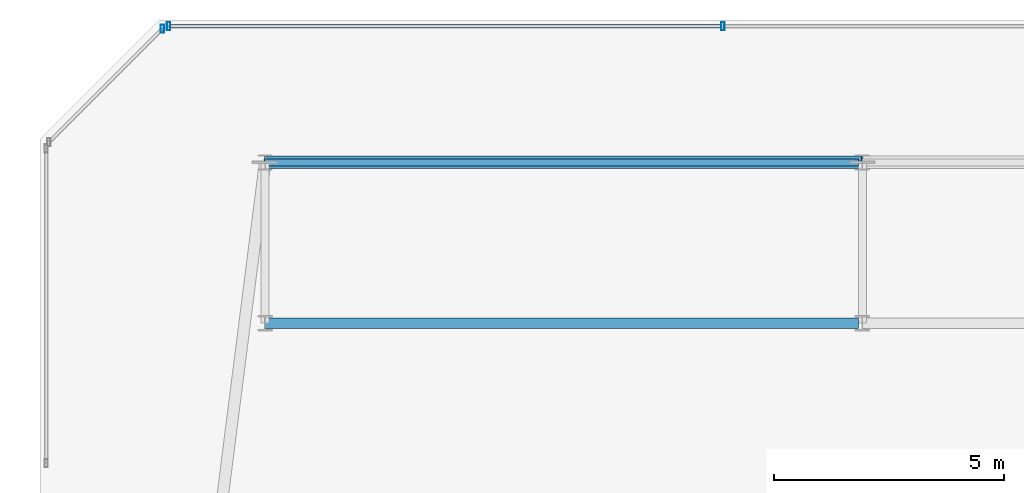
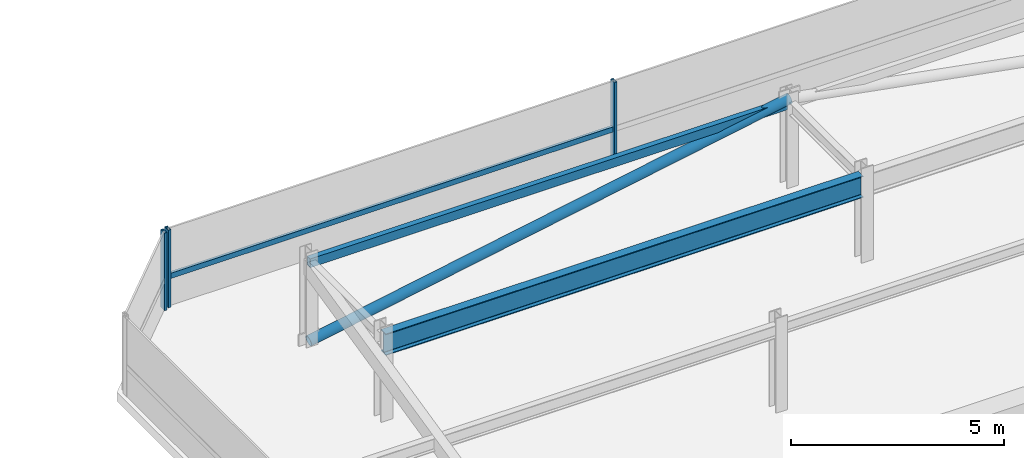
# One storey, part 33 of 42: 5 members, 2 beams, 2 elements without a shape of their own.
"""IFC4 building model written with IfcOpenShell, lengths in metres."""

from ifc_helpers import new_model, si_unit, direction, frame, origin, origin_2d, place, context, subcontext, project, spatial, hollow_rectangle, hollow_circle, i_section, extrude, material, material_profile, profile_set, type_object, element, aggregate, save


model = new_model("IFC4")

# Units and contexts
model_context = context("Model", 3, precision=1e-05, world=origin(), true_north=direction((0.0, 1.0)))
body_context = subcontext(model_context, "Body", "Model", "MODEL_VIEW")
ifc_project = project(units=[si_unit("LENGTHUNIT", "METRE"), si_unit("AREAUNIT", "SQUARE_METRE"), si_unit("VOLUMEUNIT", "CUBIC_METRE"), si_unit("PLANEANGLEUNIT", "RADIAN"), si_unit("MASSUNIT", "GRAM", prefix="KILO")], contexts=[model_context])

# Site, building, storey
site_placement = place(None, origin())
site = spatial("IfcSite", under=ifc_project, at=site_placement, CompositionType="ELEMENT")
building_placement = place(site_placement, origin())
building = spatial("IfcBuilding", under=site, at=building_placement, Name="Thornwick Lancets Civic Towers", CompositionType="ELEMENT")
storey_placement = place(building_placement, frame((0.0, 0.0, 289.5)))
storey = spatial("IfcBuildingStorey", under=building, at=storey_placement, Name="C04", CompositionType="ELEMENT", Elevation=289.5)

# Beams
ifc_material_1 = material(Name="Steel S355JR", Category="steel")
ifc_material_profile_1 = material_profile(ifc_material_1, hollow_rectangle(XDim=0.14990234375, YDim=0.25, WallThickness=0.012451171875, at=origin_2d()), Name="RHS 250x150x12.5")
ifc_profile_set_1 = profile_set([ifc_material_profile_1], Name="Steel S355JR")
beam_type_1 = type_object("IfcBeamType", Name="BM_CROWN_RHS250", PredefinedType="BEAM", material=ifc_profile_set_1)
beam_1_placement = place(storey_placement, frame((88.419921875, 47.800048828125, 2.31494140625), z_axis=(-1.0, 0.0, 0.0), x_axis=(0.0, -1.0, 0.0)))
element("IfcBeam", 1, at=beam_1_placement, inside=storey, type_object=beam_type_1, Name="BM-EDGE-C04-B-S1-2", PredefinedType="BEAM", context=body_context, shape_type="SweptSolid", body=[
    extrude(hollow_rectangle(XDim=0.14990234375, YDim=0.25, WallThickness=0.012451171875, at=origin_2d()), origin(), (0.0, 0.0, 1.0), 12.919921875),
])
ifc_material_profile_2 = material_profile(ifc_material_1, i_section(OverallWidth=0.230224609375, OverallDepth=0.6171875, WebThickness=0.01318359375, FlangeThickness=0.022216796875, FilletRadius=0.0126953125, at=origin_2d()), Name="UKB 610x229x140")
ifc_profile_set_2 = profile_set([ifc_material_profile_2], Name="Steel S355JR")
beam_type_2 = type_object("IfcBeamType", Name="BM_GIRD_610_140", PredefinedType="BEAM", material=ifc_profile_set_2)
beam_2_placement = place(storey_placement, frame((88.419921875, 44.300048828125, 2.13134765625), z_axis=(-1.0, 0.0, 0.0), x_axis=(0.0, -1.0, 0.0)))
element("IfcBeam", 2, at=beam_2_placement, inside=storey, type_object=beam_type_2, Name="BM-SPINE-C04-B-4-5", PredefinedType="BEAM", context=body_context, shape_type="SweptSolid", body=[
    extrude(i_section(OverallWidth=0.230224609375, OverallDepth=0.6171875, WebThickness=0.01318359375, FlangeThickness=0.022216796875, FilletRadius=0.0126953125, at=origin_2d()), origin(), (0.0, 0.0, 1.0), 12.919921875),
])

# Curtain wall, members
ifc_material_2 = material(Name="Crown ring acoustic-louvre and glazing screen wall", Category="glass")
curtain_wall_type = type_object("IfcCurtainWallType", Name="CW_SYS_07", PredefinedType="NOTDEFINED", material=ifc_material_2)
curtain_wall_1_placement = place(storey_placement, origin())
curtain_wall_1 = element("IfcCurtainWall", 3, at=curtain_wall_1_placement, inside=storey, type_object=curtain_wall_type, Name="C04 Curtain Wall CW-C04-B-E4", PredefinedType="NOTDEFINED")
ifc_material_3 = material(Name="Thermally broken bronze aluminium S355", Category="steel")
ifc_material_profile_3 = material_profile(ifc_material_3, hollow_rectangle(XDim=0.074951171875, YDim=0.179931640625, WallThickness=0.006103515625, at=origin_2d()), Name="RHS 180x75x6")
ifc_profile_set_3 = profile_set([ifc_material_profile_3], Name="Thermally broken bronze aluminium S355")
member_type_1 = type_object("IfcMemberType", Name="CW_MUL_180", PredefinedType="MULLION", material=ifc_profile_set_3)
member_1_placement = place(storey_placement, frame((85.46630859375, 50.7646484375, 0.0), z_axis=(0.0, 0.0, 1.0), x_axis=(1.0, 0.0, 0.0)))
member_1 = element("IfcMember", 4, at=member_1_placement, type_object=member_type_1, Name="CW-C04-B-E4 Mullion 2", PredefinedType="MULLION", context=body_context, shape_type="SweptSolid", body=[
    extrude(hollow_rectangle(XDim=0.074951171875, YDim=0.179931640625, WallThickness=0.006103515625, at=origin_2d()), origin(), (0.0, 0.0, 1.0), 2.219970703125),
])
member_2_placement = place(storey_placement, frame((73.398681640625, 50.7646484375, 0.0), z_axis=(0.0, 0.0, 1.0), x_axis=(1.0, 0.0, 0.0)))
member_2 = element("IfcMember", 5, at=member_2_placement, type_object=member_type_1, Name="CW-C04-B-E4 Mullion 3", PredefinedType="MULLION", context=body_context, shape_type="SweptSolid", body=[
    extrude(hollow_rectangle(XDim=0.074951171875, YDim=0.179931640625, WallThickness=0.006103515625, at=origin_2d()), origin(), (0.0, 0.0, 1.0), 2.219970703125),
])

# Curtain wall, member
curtain_wall_2_placement = place(storey_placement, origin())
curtain_wall_2 = element("IfcCurtainWall", 6, at=curtain_wall_2_placement, inside=storey, type_object=curtain_wall_type, Name="C04 Curtain Wall CW-C04-B-E5", PredefinedType="NOTDEFINED")
member_3_placement = place(storey_placement, frame((73.261962890625, 50.7080078125, 0.0), z_axis=(0.0, 0.0, 1.0), x_axis=(1.0, 0.0, 0.0)))
member_3 = element("IfcMember", 7, at=member_3_placement, type_object=member_type_1, Name="CW-C04-B-E5 Mullion 0", PredefinedType="MULLION", context=body_context, shape_type="SweptSolid", body=[
    extrude(hollow_rectangle(XDim=0.074951171875, YDim=0.179931640625, WallThickness=0.006103515625, at=origin_2d()), origin(), (0.0, 0.0, 1.0), 2.219970703125),
])
aggregate(curtain_wall_2, [member_3])

# Member
ifc_material_profile_4 = material_profile(ifc_material_3, hollow_rectangle(XDim=0.074951171875, YDim=0.14990234375, WallThickness=0.0048828125, at=origin_2d()), Name="RHS 150x75x5")
ifc_profile_set_4 = profile_set([ifc_material_profile_4], Name="Thermally broken bronze aluminium S355")
member_type_2 = type_object("IfcMemberType", Name="CW_TRN_150", PredefinedType="USERDEFINED", material=ifc_profile_set_4)
member_4_placement = place(storey_placement, frame((85.4462890625, 50.7646484375, 0.85009765625), z_axis=(-1.0, 0.0, 0.0), x_axis=(0.0, -1.0, 0.0)))
member_4 = element("IfcMember", 8, at=member_4_placement, type_object=member_type_2, Name="CW-C04-B-E4 Transom 2", ObjectType="TRANSOM", PredefinedType="USERDEFINED", context=body_context, shape_type="SweptSolid", body=[
    extrude(hollow_rectangle(XDim=0.074951171875, YDim=0.14990234375, WallThickness=0.0048828125, at=origin_2d()), origin(), (0.0, 0.0, 1.0), 12.027587890625),
])

aggregate(curtain_wall_1, [member_1, member_2, member_4])

ifc_material_profile_5 = material_profile(ifc_material_1, hollow_circle(Radius=0.136474609375, WallThickness=0.012451171875, at=origin_2d()), Name="CHS 273x12.5")
ifc_profile_set_5 = profile_set([ifc_material_profile_5], Name="Steel S355JR")
member_type_3 = type_object("IfcMemberType", Name="MEM_CROWN_CHS273", PredefinedType="BRACE", material=ifc_profile_set_5)
member_5_placement = place(storey_placement, frame((75.5, 47.800048828125, 0.050048828125), z_axis=(0.98351842104, 0.0, 0.180807951915), x_axis=(0.0, 1.0, 0.0)))
element("IfcMember", 9, at=member_5_placement, inside=storey, type_object=member_type_3, Name="C04 Crown Ring Lancet Rib B-S1-R", PredefinedType="BRACE", context=body_context, shape_type="SweptSolid", body=[
    extrude(hollow_circle(Radius=0.136474609375, WallThickness=0.012451171875, at=origin_2d()), origin(), (0.0, 0.0, 1.0), 13.2177734375),
])

save(model, "model.ifc")
